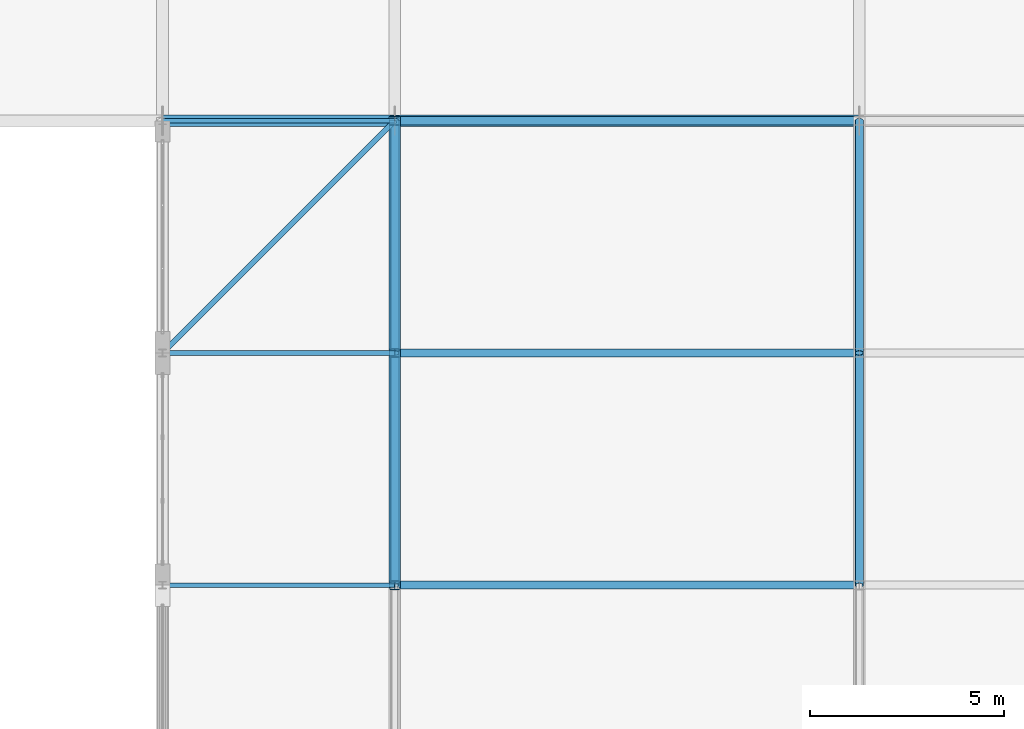
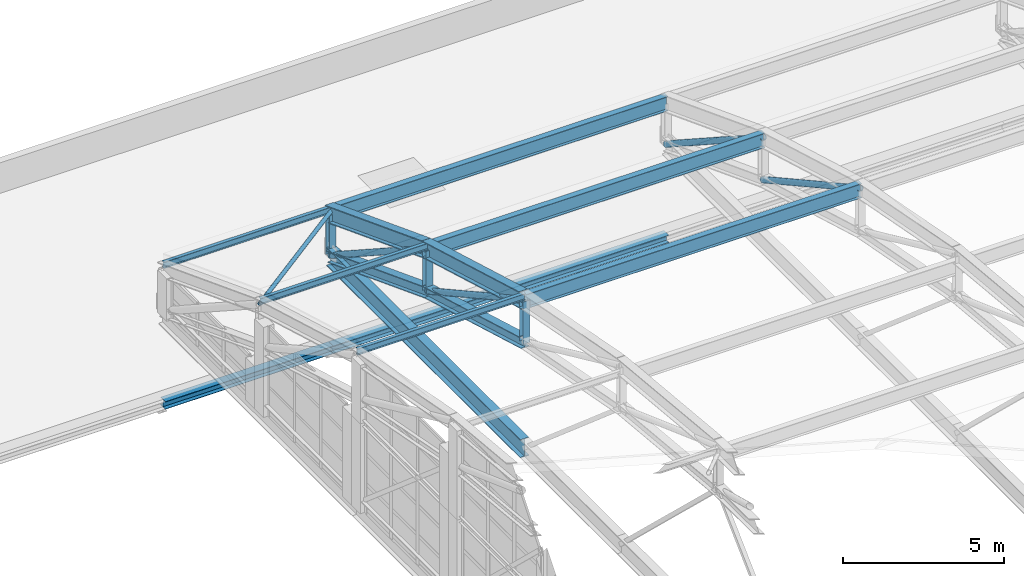
# One storey, part 144 of 204: 19 members, 2 beams.
"""IFC4 building model written with IfcOpenShell, lengths in metres."""

from ifc_helpers import new_model, si_unit, direction, frame, origin, origin_2d, place, context, subcontext, project, spatial, hollow_circle, i_section, extrude, material, material_profile, profile_set, type_object, element, save


model = new_model("IFC4")

# Units and contexts
model_context = context("Model", 3, precision=1e-05, world=origin(), true_north=direction((0.0, 1.0)))
body_context = subcontext(model_context, "Body", "Model", "MODEL_VIEW")
ifc_project = project(units=[si_unit("LENGTHUNIT", "METRE"), si_unit("AREAUNIT", "SQUARE_METRE"), si_unit("VOLUMEUNIT", "CUBIC_METRE"), si_unit("PLANEANGLEUNIT", "RADIAN"), si_unit("MASSUNIT", "GRAM", prefix="KILO")], contexts=[model_context])

# Site, building, storey
site_placement = place(None, origin())
site = spatial("IfcSite", under=ifc_project, at=site_placement, CompositionType="ELEMENT")
building_placement = place(site_placement, origin())
building = spatial("IfcBuilding", under=site, at=building_placement, Name="Zilviju Railside Exhibition Hall", CompositionType="ELEMENT")
storey_placement = place(building_placement, frame((0.0, 0.0, 21.0)))
storey = spatial("IfcBuildingStorey", under=building, at=storey_placement, Name="RF", CompositionType="ELEMENT", Elevation=21.0)

# Beams
ifc_material = material(Name="Steel S355J2", Category="steel")
ifc_material_profile_1 = material_profile(ifc_material, i_section(OverallWidth=0.300048828125, OverallDepth=0.2900390625, WebThickness=0.008544921875, FlangeThickness=0.013916015625, at=origin_2d()), Name="HEA 300")
ifc_profile_set_1 = profile_set([ifc_material_profile_1], Name="Steel S355J2")
beam_type = type_object("IfcBeamType", Name="BM-HEA300", PredefinedType="SPANDREL", material=ifc_profile_set_1)
beam_1_placement = place(storey_placement, frame((78.0, 138.0, -7.094970703125), z_axis=(1.0, 0.0, 0.0), x_axis=(0.0, 1.0, 0.0)))
element("IfcBeam", 1, at=beam_1_placement, inside=storey, type_object=beam_type, Name="Logistics Roof Beam Y=138.0 (78.0..84.0)", PredefinedType="SPANDREL", context=body_context, shape_type="SweptSolid", body=[
    extrude(i_section(OverallWidth=0.300048828125, OverallDepth=0.2900390625, WebThickness=0.008544921875, FlangeThickness=0.013916015625, at=origin_2d()), origin(), (0.0, 0.0, 1.0), 6.0),
])
beam_2_placement = place(storey_placement, frame((84.0, 138.0, -7.094970703125), z_axis=(1.0, 0.0, 0.0), x_axis=(0.0, 1.0, 0.0)))
element("IfcBeam", 2, at=beam_2_placement, inside=storey, type_object=beam_type, Name="Logistics Roof Beam Y=138.0 (84.0..96.0)", PredefinedType="SPANDREL", context=body_context, shape_type="SweptSolid", body=[
    extrude(i_section(OverallWidth=0.300048828125, OverallDepth=0.2900390625, WebThickness=0.008544921875, FlangeThickness=0.013916015625, at=origin_2d()), origin(), (0.0, 0.0, 1.0), 12.0),
])

# Members
ifc_material_profile_2 = material_profile(ifc_material, hollow_circle(Radius=0.06982421875, WallThickness=0.00634765625, at=origin_2d()), Name="CHS 139.7x6.3")
ifc_profile_set_2 = profile_set([ifc_material_profile_2], Name="Steel S355J2")
member_type_1 = type_object("IfcMemberType", Name="TR-BR-CHS139", PredefinedType="BRACE", material=ifc_profile_set_2)
member_1_placement = place(storey_placement, frame((78.0, 132.0, 0.311279296875), z_axis=(0.68342275404, 0.68342275404, -0.256645043825), x_axis=(-0.707106781187, 0.707106781187, 0.0)))
element("IfcMember", 3, at=member_1_placement, inside=storey, type_object=member_type_1, Name="V2 Roof Wind Brace (78.0..84.0)", PredefinedType="BRACE", context=body_context, shape_type="SweptSolid", body=[
    extrude(hollow_circle(Radius=0.06982421875, WallThickness=0.00634765625, at=origin_2d()), origin(), (0.0, 0.0, 1.0), 8.779296875),
])
ifc_material_profile_3 = material_profile(ifc_material, hollow_circle(Radius=0.109619140625, WallThickness=0.010009765625, at=origin_2d()), Name="CHS 219.1x10.0")
ifc_profile_set_3 = profile_set([ifc_material_profile_3], Name="Steel S355J2")
member_type_2 = type_object("IfcMemberType", Name="TR-BR-CHS219", PredefinedType="BRACE", material=ifc_profile_set_3)
member_2_placement = place(storey_placement, frame((84.0, 126.0, 2.009765625), z_axis=(0.0, 0.8750828143, -0.483973210122), x_axis=(-1.0, 0.0, 0.0)))
element("IfcMember", 4, at=member_2_placement, inside=storey, type_object=member_type_2, Name="V2 Parabolic Arch Web Diagonal X=84.0 P8", PredefinedType="BRACE", context=body_context, shape_type="SweptSolid", body=[
    extrude(hollow_circle(Radius=0.109619140625, WallThickness=0.010009765625, at=origin_2d()), origin(), (0.0, 0.0, 1.0), 6.8564453125),
])
member_3_placement = place(storey_placement, frame((84.0, 132.0, 0.291259765625), z_axis=(0.0, 0.838995406637, -0.544138500423), x_axis=(-1.0, 0.0, 0.0)))
element("IfcMember", 5, at=member_3_placement, inside=storey, type_object=member_type_2, Name="V2 Parabolic Arch Web Diagonal X=84.0 P9", PredefinedType="BRACE", context=body_context, shape_type="SweptSolid", body=[
    extrude(hollow_circle(Radius=0.109619140625, WallThickness=0.010009765625, at=origin_2d()), origin(), (0.0, 0.0, 1.0), 7.1513671875),
])
member_4_placement = place(storey_placement, frame((96.0, 126.0, 2.009765625), z_axis=(0.0, 0.8750828143, -0.483973210122), x_axis=(-1.0, 0.0, 0.0)))
element("IfcMember", 6, at=member_4_placement, inside=storey, type_object=member_type_2, Name="V2 Parabolic Arch Web Diagonal X=96.0 P8", PredefinedType="BRACE", context=body_context, shape_type="SweptSolid", body=[
    extrude(hollow_circle(Radius=0.109619140625, WallThickness=0.010009765625, at=origin_2d()), origin(), (0.0, 0.0, 1.0), 6.8564453125),
])
member_5_placement = place(storey_placement, frame((96.0, 132.0, 0.291259765625), z_axis=(0.0, 0.838995406637, -0.544138500423), x_axis=(-1.0, 0.0, 0.0)))
element("IfcMember", 7, at=member_5_placement, inside=storey, type_object=member_type_2, Name="V2 Parabolic Arch Web Diagonal X=96.0 P9", PredefinedType="BRACE", context=body_context, shape_type="SweptSolid", body=[
    extrude(hollow_circle(Radius=0.109619140625, WallThickness=0.010009765625, at=origin_2d()), origin(), (0.0, 0.0, 1.0), 7.1513671875),
])
ifc_material_profile_4 = material_profile(ifc_material, i_section(OverallWidth=0.300048828125, OverallDepth=0.39990234375, WebThickness=0.013427734375, FlangeThickness=0.02392578125, at=origin_2d()), Name="HEB 400")
ifc_profile_set_4 = profile_set([ifc_material_profile_4], Name="Steel S355J2")
member_type_3 = type_object("IfcMemberType", Name="TR-CH-HEB400", PredefinedType="CHORD", material=ifc_profile_set_4)
member_6_placement = place(storey_placement, frame((84.0, 126.0, 0.409912109375), z_axis=(0.0, 0.961345133658, -0.275346207512), x_axis=(-1.0, 0.0, 0.0)))
element("IfcMember", 8, at=member_6_placement, inside=storey, type_object=member_type_3, Name="V2 Parabolic Arch Bottom Chord X=84.0 P8", PredefinedType="CHORD", context=body_context, shape_type="SweptSolid", body=[
    extrude(i_section(OverallWidth=0.300048828125, OverallDepth=0.39990234375, WebThickness=0.013427734375, FlangeThickness=0.02392578125, at=origin_2d()), origin(), (0.0, 0.0, 1.0), 6.2412109375),
])
member_7_placement = place(storey_placement, frame((84.0, 132.0, -1.30859375), z_axis=(0.0, 0.934187521086, -0.35678239229), x_axis=(-1.0, 0.0, 0.0)))
element("IfcMember", 9, at=member_7_placement, inside=storey, type_object=member_type_3, Name="V2 Parabolic Arch Bottom Chord X=84.0 P9", PredefinedType="CHORD", context=body_context, shape_type="SweptSolid", body=[
    extrude(i_section(OverallWidth=0.300048828125, OverallDepth=0.39990234375, WebThickness=0.013427734375, FlangeThickness=0.02392578125, at=origin_2d()), origin(), (0.0, 0.0, 1.0), 6.422607421875),
])
ifc_material_profile_5 = material_profile(ifc_material, i_section(OverallWidth=0.300048828125, OverallDepth=0.60009765625, WebThickness=0.015380859375, FlangeThickness=0.030029296875, at=origin_2d()), Name="HEB 600")
ifc_profile_set_5 = profile_set([ifc_material_profile_5], Name="Steel S355J2")
member_type_4 = type_object("IfcMemberType", Name="TR-CH-HEB600", PredefinedType="CHORD", material=ifc_profile_set_5)
member_8_placement = place(storey_placement, frame((84.0, 126.0, 2.009765625), z_axis=(0.0, 0.961345133658, -0.275346207512), x_axis=(-1.0, 0.0, 0.0)))
element("IfcMember", 10, at=member_8_placement, inside=storey, type_object=member_type_4, Name="V2 Parabolic Arch Top Chord X=84.0 P8", PredefinedType="CHORD", context=body_context, shape_type="SweptSolid", body=[
    extrude(i_section(OverallWidth=0.300048828125, OverallDepth=0.60009765625, WebThickness=0.015380859375, FlangeThickness=0.030029296875, at=origin_2d()), origin(), (0.0, 0.0, 1.0), 6.2412109375),
])
member_9_placement = place(storey_placement, frame((84.0, 132.0, 0.291259765625), z_axis=(0.0, 0.934200190194, -0.356749218138), x_axis=(-1.0, 0.0, 0.0)))
element("IfcMember", 11, at=member_9_placement, inside=storey, type_object=member_type_4, Name="V2 Parabolic Arch Top Chord X=84.0 P9", PredefinedType="CHORD", context=body_context, shape_type="SweptSolid", body=[
    extrude(i_section(OverallWidth=0.300048828125, OverallDepth=0.60009765625, WebThickness=0.015380859375, FlangeThickness=0.030029296875, at=origin_2d()), origin(), (0.0, 0.0, 1.0), 6.422607421875),
])
ifc_material_profile_6 = material_profile(ifc_material, i_section(OverallWidth=0.239990234375, OverallDepth=0.22998046875, WebThickness=0.007568359375, FlangeThickness=0.011962890625, at=origin_2d()), Name="HEA 240")
ifc_profile_set_6 = profile_set([ifc_material_profile_6], Name="Steel S355J2")
member_type_5 = type_object("IfcMemberType", Name="TR-POST-HEA240", PredefinedType="POST", material=ifc_profile_set_6)
for number, where, z_axis, x_axis, name in (
    (12, (84.0, 126.0, 0.409912109375), (0.0, 0.0, 1.0), (1.0, 0.0, 0.0), "V2 Parabolic Arch Web Post X=84.0 N7"),
    (13, (84.0, 132.0, -1.30859375), (0.0, 0.0, 1.0), (1.0, 0.0, 0.0), "V2 Parabolic Arch Web Post X=84.0 N8"),
):
    element("IfcMember", number, at=place(storey_placement, frame(where, z_axis=z_axis, x_axis=x_axis)), inside=storey, type_object=member_type_5, Name=name, PredefinedType="POST", context=body_context, shape_type="SweptSolid", body=[
        extrude(i_section(OverallWidth=0.239990234375, OverallDepth=0.22998046875, WebThickness=0.007568359375, FlangeThickness=0.011962890625, at=origin_2d()), origin(), (0.0, 0.0, 1.0), 1.599853515625),
    ])
member_10_placement = place(storey_placement, frame((84.0, 138.0, -3.60009765625), z_axis=(0.0, 0.0, 1.0), x_axis=(1.0, 0.0, 0.0)))
element("IfcMember", 14, at=member_10_placement, inside=storey, type_object=member_type_5, Name="V2 Parabolic Arch Web Post X=84.0 N9", PredefinedType="POST", context=body_context, shape_type="SweptSolid", body=[
    extrude(i_section(OverallWidth=0.239990234375, OverallDepth=0.22998046875, WebThickness=0.007568359375, FlangeThickness=0.011962890625, at=origin_2d()), origin(), (0.0, 0.0, 1.0), 1.60009765625),
])
ifc_material_profile_7 = material_profile(ifc_material, i_section(OverallWidth=0.1201171875, OverallDepth=0.239990234375, WebThickness=0.006103515625, FlangeThickness=0.009765625, at=origin_2d()), Name="IPE 240")
ifc_profile_set_7 = profile_set([ifc_material_profile_7], Name="Steel S355J2")
member_type_6 = type_object("IfcMemberType", Name="TR-PUR-IPE240", PredefinedType="PURLIN", material=ifc_profile_set_7)
for number, where, z_axis, x_axis, name in (
    (15, (78.0, 126.0, 2.14306640625), (1.0, 0.0, 0.0), (0.0, 1.0, 0.0), "V2 Barrel Vault Roof Purlin Y=126.0 (78.0..84.0)"),
    (16, (78.0, 132.0, 0.41162109375), (1.0, 0.0, 0.0), (0.0, 1.0, 0.0), "V2 Barrel Vault Roof Purlin Y=132.0 (78.0..84.0)"),
    (17, (78.0, 138.0, -1.85693359375), (1.0, 0.0, 0.0), (0.0, 1.0, 0.0), "V2 Barrel Vault Roof Purlin Y=138.0 (78.0..84.0)"),
):
    element("IfcMember", number, at=place(storey_placement, frame(where, z_axis=z_axis, x_axis=x_axis)), inside=storey, type_object=member_type_6, Name=name, PredefinedType="PURLIN", context=body_context, shape_type="SweptSolid", body=[
        extrude(i_section(OverallWidth=0.1201171875, OverallDepth=0.239990234375, WebThickness=0.006103515625, FlangeThickness=0.009765625, at=origin_2d()), origin(), (0.0, 0.0, 1.0), 6.0),
    ])
ifc_material_profile_8 = material_profile(ifc_material, i_section(OverallWidth=0.2099609375, OverallDepth=0.550048828125, WebThickness=0.010986328125, FlangeThickness=0.01708984375, at=origin_2d()), Name="IPE 550")
ifc_profile_set_8 = profile_set([ifc_material_profile_8], Name="Steel S355J2")
member_type_7 = type_object("IfcMemberType", Name="TR-PUR-IPE550", PredefinedType="PURLIN", material=ifc_profile_set_8)
for number, where, z_axis, x_axis, name in (
    (18, (84.0, 126.0, 1.97509765625), (1.0, 0.0, 0.0), (0.0, 1.0, 0.0), "V2 Barrel Vault Roof Purlin Y=126.0 (84.0..96.0)"),
    (19, (84.0, 132.0, 0.239501953125), (1.0, 0.0, 0.0), (0.0, 1.0, 0.0), "V2 Barrel Vault Roof Purlin Y=132.0 (84.0..96.0)"),
    (20, (84.0, 138.0, -2.011962890625), (1.0, 0.0, 0.0), (0.0, 1.0, 0.0), "V2 Barrel Vault Roof Purlin Y=138.0 (84.0..96.0)"),
):
    element("IfcMember", number, at=place(storey_placement, frame(where, z_axis=z_axis, x_axis=x_axis)), inside=storey, type_object=member_type_7, Name=name, PredefinedType="PURLIN", context=body_context, shape_type="SweptSolid", body=[
        extrude(i_section(OverallWidth=0.2099609375, OverallDepth=0.550048828125, WebThickness=0.010986328125, FlangeThickness=0.01708984375, at=origin_2d()), origin(), (0.0, 0.0, 1.0), 12.0),
    ])
ifc_material_profile_9 = material_profile(ifc_material, i_section(OverallWidth=0.300048828125, OverallDepth=0.699951171875, WebThickness=0.01708984375, FlangeThickness=0.031982421875, at=origin_2d()), Name="HEB 700")
ifc_profile_set_9 = profile_set([ifc_material_profile_9], Name="Steel S355J2")
member_type_8 = type_object("IfcMemberType", Name="TR-TIE-HEB700", PredefinedType="CHORD", material=ifc_profile_set_9)
member_11_placement = place(storey_placement, frame((84.0, 126.0, -3.60009765625), z_axis=(0.0, 1.0, 0.0), x_axis=(-1.0, 0.0, 0.0)))
element("IfcMember", 21, at=member_11_placement, inside=storey, type_object=member_type_8, Name="V2 Arch Tie Member X=84.0", PredefinedType="CHORD", context=body_context, shape_type="SweptSolid", body=[
    extrude(i_section(OverallWidth=0.300048828125, OverallDepth=0.699951171875, WebThickness=0.01708984375, FlangeThickness=0.031982421875, at=origin_2d()), origin(), (0.0, 0.0, 1.0), 12.0),
])

save(model, "model.ifc")
